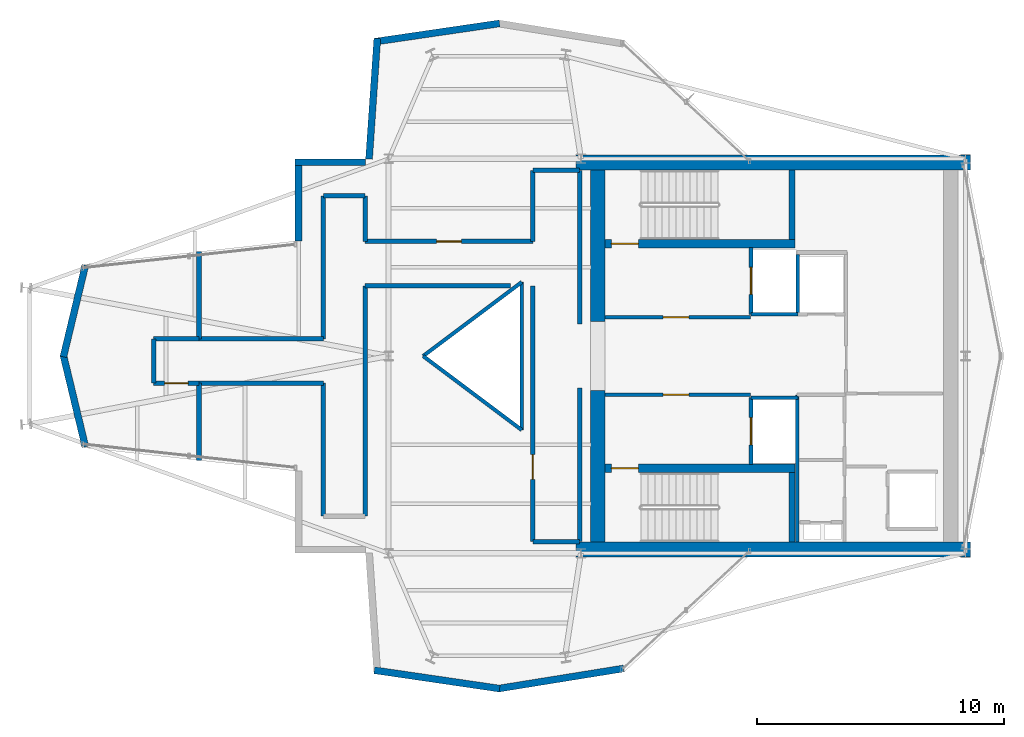
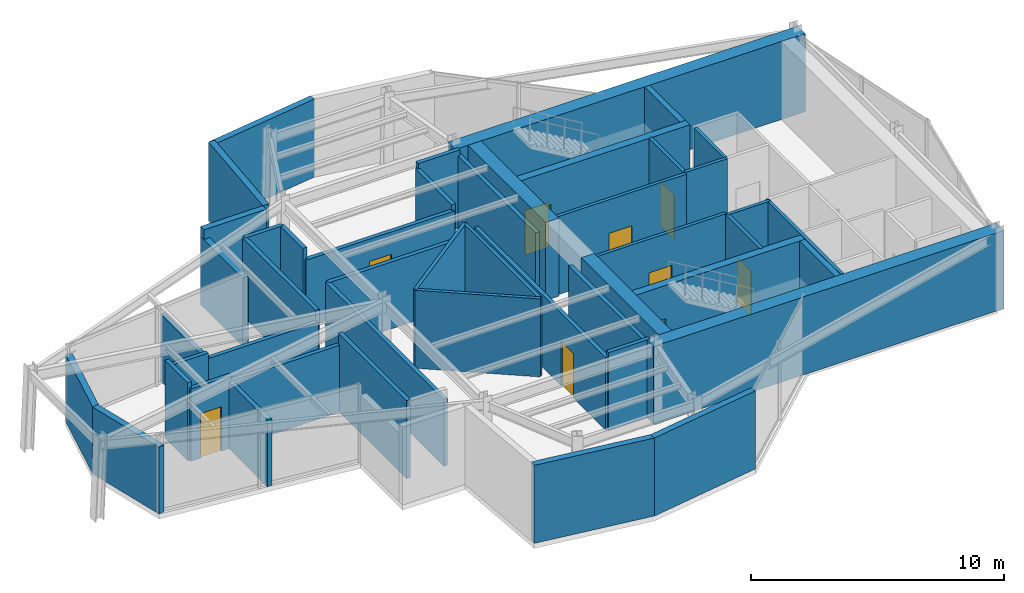
# One storey, part 9 of 11: 47 walls, 9 doors, 9 openings.
"""IFC4 building model written with IfcOpenShell, lengths in metres."""

import ifcopenshell
import ifcopenshell.guid

model = None  # the IFC model being written
_history = None  # IfcOwnerHistory: only IFC2X3 demands one
_inside = {}  # id of a spatial element -> (the spatial element, [elements in it])
_under = {}  # id of a project, library or spatial element -> (it, [spatial elements below it])
_declared = {}  # id of a project -> (the project, [libraries it declares])
_typed = {}  # id of a type object -> (the type object, [elements of that type])
_made_of = {}  # id of a material, layer set ... -> (it, [elements and type objects made of it])


def new_model(schema):
    """Start an empty IFC model of exactly this schema.

    Asked for "IFC4X3", IfcOpenShell would pick the latest addendum, in which some entities
    have other attributes; the version numbers below select the first issue.
    IFC2X3 requires an IfcOwnerHistory on every rooted entity: one is made here for all.
    """
    global model, _history
    if schema == "IFC4X3":
        model = ifcopenshell.file(schema_version=(4, 3, 0, 0))
    else:
        model = ifcopenshell.file(schema=schema)
    _inside.clear()
    _under.clear()
    _declared.clear()
    _typed.clear()
    _made_of.clear()
    _history = None
    if model.schema == "IFC2X3":
        org = make("IfcOrganization", Name="unknown")
        user = make(
            "IfcPersonAndOrganization",
            ThePerson=make("IfcPerson", FamilyName="unknown"),
            TheOrganization=org,
        )
        app = make(
            "IfcApplication",
            ApplicationDeveloper=org,
            Version="unknown",
            ApplicationFullName="unknown",
            ApplicationIdentifier="unknown",
        )
        _history = make(
            "IfcOwnerHistory",
            OwningUser=user,
            OwningApplication=app,
            ChangeAction="ADDED",
            CreationDate=0,
        )
    return model


def make(cls, **values):
    """One entity of the class cls with the attributes given. An attribute that is None is left unset."""
    return model.create_entity(
        cls, **{name: value for name, value in values.items() if value is not None}
    )


def rooted(cls, **values):
    """An entity with a GlobalId (a new one), such as an element, a storey or a relation."""
    return make(cls, GlobalId=ifcopenshell.guid.new(), OwnerHistory=_history, **values)


def si_unit(unit_type, name, prefix=None):
    """IfcSIUnit, for example si_unit("LENGTHUNIT", "METRE", prefix="MILLI")."""
    return make("IfcSIUnit", UnitType=unit_type, Prefix=prefix, Name=name)


def assignment(units):
    """IfcUnitAssignment: the units of a project."""
    return None if units is None else make("IfcUnitAssignment", Units=units)


def point(xyz):
    """IfcCartesianPoint."""
    return None if xyz is None else make("IfcCartesianPoint", Coordinates=xyz)


def direction(xyz):
    """IfcDirection."""
    return None if xyz is None else make("IfcDirection", DirectionRatios=xyz)


def frame(location, z_axis=None, x_axis=None):
    """IfcAxis2Placement3D, a coordinate frame: its origin and axes. An axis left out is left unset."""
    return make(
        "IfcAxis2Placement3D",
        Location=point(location),
        Axis=direction(z_axis),
        RefDirection=direction(x_axis),
    )


def frame_2d(location, x_axis=None):
    """IfcAxis2Placement2D, a coordinate frame in the plane: its origin and x axis."""
    return make(
        "IfcAxis2Placement2D", Location=point(location), RefDirection=direction(x_axis)
    )


def origin():
    """The frame at (0, 0, 0) with its axes left unset."""
    return frame((0.0, 0.0, 0.0))


def place(relative_to, where):
    """IfcLocalPlacement: puts the frame where relative to a parent placement (None: the world)."""
    return make(
        "IfcLocalPlacement", PlacementRelTo=relative_to, RelativePlacement=where
    )


def context(
    kind, dimensions, precision=None, world=None, true_north=None, identifier=None
):
    """IfcGeometricRepresentationContext, for example the 3D "Model" context."""
    return make(
        "IfcGeometricRepresentationContext",
        ContextIdentifier=identifier,
        ContextType=kind,
        CoordinateSpaceDimension=dimensions,
        Precision=precision,
        WorldCoordinateSystem=world,
        TrueNorth=true_north,
    )


def subcontext(parent, identifier, kind, view, scale=None):
    """IfcGeometricRepresentationSubContext, for example "Body" below "Model"."""
    return make(
        "IfcGeometricRepresentationSubContext",
        ContextIdentifier=identifier,
        ContextType=kind,
        ParentContext=parent,
        TargetScale=scale,
        TargetView=view,
    )


def project(units=None, contexts=None):
    """IfcProject with its units and contexts."""
    return rooted(
        "IfcProject",
        Name="project",
        RepresentationContexts=contexts,
        UnitsInContext=assignment(units),
    )


def spatial(cls, under=None, at=None, **own):
    """A site, building, storey or space (cls), placed at a placement, below another one or the project."""
    s = rooted(cls, ObjectPlacement=at, **own)
    if under is not None:
        _under.setdefault(under.id(), (under, []))[1].append(s)
    return s


def profile(cls, at=None, kind="AREA", **sizes):
    """A parametric profile (cls). Its sizes go by their IFC names, for example OverallWidth=200.0."""
    return make(cls, ProfileType=kind, Position=at, **sizes)


def rectangle(**sizes):
    """IfcRectangleProfileDef."""
    return profile("IfcRectangleProfileDef", **sizes)


def extrude(swept, where, along, depth):
    """IfcExtrudedAreaSolid: the profile swept, set in the frame where, extruded along a direction by depth."""
    return make(
        "IfcExtrudedAreaSolid",
        SweptArea=swept,
        Position=where,
        ExtrudedDirection=direction(along),
        Depth=depth,
    )


def shape(context_of_items, identifier, shape_type, items):
    """IfcShapeRepresentation: the items that make up one representation, for example the "Body"."""
    return make(
        "IfcShapeRepresentation",
        ContextOfItems=context_of_items,
        RepresentationIdentifier=identifier,
        RepresentationType=shape_type,
        Items=items,
    )


def material(Name=None, Category=None):
    """IfcMaterial."""
    return make("IfcMaterial", Name=Name, Category=Category)


def layer(
    of_material, thickness, ventilated=None, Name=None, Category=None, Priority=None
):
    """IfcMaterialLayer: one layer of a wall or slab, of a material (None: an air gap)."""
    return make(
        "IfcMaterialLayer",
        Material=of_material,
        LayerThickness=thickness,
        IsVentilated=ventilated,
        Name=Name,
        Category=Category,
        Priority=Priority,
    )


def layer_set(layers, Name=None):
    """IfcMaterialLayerSet."""
    return make("IfcMaterialLayerSet", MaterialLayers=layers, LayerSetName=Name)


def made_of(thing, what):
    """Note that an element or type object is made of a material, layer set ...; save() writes the relation."""
    if what is not None:
        _made_of.setdefault(what.id(), (what, []))[1].append(thing)
    return thing


def type_object(cls, material=None, **own):
    """A type object (cls), such as IfcWallType, which elements share."""
    return made_of(rooted(cls, **own), material)


def element(
    cls,
    number,
    at=None,
    inside=None,
    cuts=None,
    type_object=None,
    material=None,
    context=None,
    identifier="Body",
    shape_type=None,
    held_by="IfcProductDefinitionShape",
    body=None,
    shapes=None,
    **own,
):
    """One element of the class cls, such as IfcWall. Its Tag is "e" and its number.

    at: its placement. inside: the storey or other place that contains it. cuts: it is an
    opening in that element (IfcRelVoidsElement). A single representation is given by context,
    identifier, shape_type and body (its items); several are given by shapes. held_by: the class
    of the entity that holds the representations. save() writes the other relations.
    """
    e = rooted(cls, Tag="e%d" % number, ObjectPlacement=at, **own)
    if body is not None:
        shapes = [shape(context, identifier, shape_type, body)]
    if shapes is not None:
        e.Representation = make(held_by, Representations=shapes)
    if inside is not None:
        _inside.setdefault(inside.id(), (inside, []))[1].append(e)
    if cuts is not None:
        rooted(
            "IfcRelVoidsElement", RelatingBuildingElement=cuts, RelatedOpeningElement=e
        )
    if type_object is not None:
        _typed.setdefault(type_object.id(), (type_object, []))[1].append(e)
    return made_of(e, material)


def fill(opening, filler):
    """IfcRelFillsElement: the door or window that sits in an opening."""
    return rooted(
        "IfcRelFillsElement",
        RelatingOpeningElement=opening,
        RelatedBuildingElement=filler,
    )


def aggregate(whole, parts):
    """IfcRelAggregates: a whole, such as a stair, and the parts it consists of."""
    return rooted("IfcRelAggregates", RelatingObject=whole, RelatedObjects=parts)


def save(model, path):
    """Write the relations noted so far, then the file.

    IfcRelAggregates (storeys below a building ...), IfcRelContainedInSpatialStructure (elements
    in a storey), IfcRelDefinesByType, IfcRelAssociatesMaterial and IfcRelDeclares: one each for
    every whole, place, type object, material and project.
    """
    for whole, parts in _under.values():
        aggregate(whole, parts)
    for where, things in _inside.values():
        rooted(
            "IfcRelContainedInSpatialStructure",
            RelatedElements=things,
            RelatingStructure=where,
        )
    for kind, things in _typed.values():
        rooted("IfcRelDefinesByType", RelatedObjects=things, RelatingType=kind)
    for what, things in _made_of.values():
        rooted("IfcRelAssociatesMaterial", RelatedObjects=things, RelatingMaterial=what)
    for by, libraries in _declared.values():
        rooted("IfcRelDeclares", RelatingContext=by, RelatedDefinitions=libraries)
    model.write(path)


model = new_model("IFC4")

# Units and contexts
model_context = context("Model", 3, precision=1e-05, world=origin(), true_north=direction((0.0, 1.0)))
body_context = subcontext(model_context, "Body", "Model", "MODEL_VIEW")
ifc_project = project(units=[si_unit("LENGTHUNIT", "METRE"), si_unit("AREAUNIT", "SQUARE_METRE"), si_unit("VOLUMEUNIT", "CUBIC_METRE"), si_unit("PLANEANGLEUNIT", "RADIAN"), si_unit("MASSUNIT", "GRAM", prefix="KILO")], contexts=[model_context])

# Site, building, storey
site_placement = place(None, origin())
site = spatial("IfcSite", under=ifc_project, at=site_placement, CompositionType="ELEMENT")
building_placement = place(site_placement, origin())
building = spatial("IfcBuilding", under=site, at=building_placement, Name="Veymaron Broadcast Tower", CompositionType="ELEMENT")
storey_placement = place(building_placement, frame((0.0, 0.0, 323.550048828125)))
storey = spatial("IfcBuildingStorey", under=building, at=storey_placement, Name="L76", CompositionType="ELEMENT", Elevation=323.550048828125)

# Walls
ifc_material_1 = material(Name="Concrete C40/50", Category="concrete")
ifc_layer_1 = layer(ifc_material_1, 0.199951171875)
ifc_layer_set_1 = layer_set([ifc_layer_1], Name="Concrete C40/50")
wall_type_1 = type_object("IfcWallType", Name="WALL-BLK-200", PredefinedType="SOLIDWALL", material=ifc_layer_set_1)
wall_1_placement = place(storey_placement, frame((23.508056640625, 19.764892578125, 0.0), z_axis=(0.0, 0.0, 1.0), x_axis=(0.0, 1.0, 0.0)))
element("IfcWall", 1, at=wall_1_placement, inside=storey, type_object=wall_type_1, Name="L76 partition IW-L76-P20", PredefinedType="SOLIDWALL", context=body_context, shape_type="SweptSolid", body=[
    extrude(rectangle(XDim=3.135009765625, YDim=0.199951171875, at=frame_2d((1.5673828125, 0.0))), origin(), (0.0, 0.0, 1.0), 3.22998046875),
])
wall_2_placement = place(storey_placement, frame((23.508056640625, 24.699951171875, 0.0), z_axis=(0.0, 0.0, 1.0), x_axis=(0.0, 1.0, 0.0)))
element("IfcWall", 2, at=wall_2_placement, inside=storey, type_object=wall_type_1, Name="L76 partition IW-L76-P21", PredefinedType="SOLIDWALL", context=body_context, shape_type="SweptSolid", body=[
    extrude(rectangle(XDim=3.53515625, YDim=0.199951171875, at=frame_2d((1.767578125, 0.0))), origin(), (0.0, 0.0, 1.0), 3.22998046875),
])
ifc_material_2 = material(Name="Precast concrete C40/50", Category="concrete")
ifc_layer_2 = layer(ifc_material_2, 0.280029296875)
ifc_layer_set_2 = layer_set([ifc_layer_2], Name="Precast concrete C40/50")
wall_type_2 = type_object("IfcWallType", Name="WALL-EXT-280", PredefinedType="STANDARD", material=ifc_layer_set_2)
wall_3_placement = place(storey_placement, frame((35.699462890625, 37.49267578125, 0.0), z_axis=(0.0, 0.0, 1.0), x_axis=(-0.989447932912, -0.144888881756, 0.0)))
element("IfcWall", 3, at=wall_3_placement, inside=storey, type_object=wall_type_2, Name="L76 notched corner facade pier 7-1", PredefinedType="STANDARD", context=body_context, shape_type="SweptSolid", body=[
    extrude(rectangle(XDim=5.13427734375, YDim=0.280029296875, at=frame_2d((2.567138671875, 0.0))), origin(), (0.0, 0.0, 1.0), 3.77001953125),
])
wall_4_placement = place(storey_placement, frame((30.73876953125, 36.877685546875, 0.0), z_axis=(0.0, 0.0, 1.0), x_axis=(-0.068328295709, -0.997662890963, 0.0)))
element("IfcWall", 4, at=wall_4_placement, inside=storey, type_object=wall_type_2, Name="L76 notched corner facade pier 8-1", PredefinedType="STANDARD", context=body_context, shape_type="SweptSolid", body=[
    extrude(rectangle(XDim=4.898681640625, YDim=0.280029296875, at=frame_2d((2.44921875, 0.0))), origin(), (0.0, 0.0, 1.0), 3.77001953125),
])
wall_5_placement = place(storey_placement, frame((30.264404296875, 31.860107421875, 0.0), z_axis=(0.0, 0.0, 1.0), x_axis=(-1.0, 0.0, 0.0)))
element("IfcWall", 5, at=wall_5_placement, inside=storey, type_object=wall_type_2, Name="L76 notched corner facade pier 9-1", PredefinedType="STANDARD", context=body_context, shape_type="SweptSolid", body=[
    extrude(rectangle(XDim=2.854736328125, YDim=0.280029296875, at=frame_2d((1.42724609375, 0.0))), origin(), (0.0, 0.0, 1.0), 3.77001953125),
])
wall_6_placement = place(storey_placement, frame((27.549560546875, 32.0, 0.0), z_axis=(0.0, 0.0, 1.0), x_axis=(0.0, -1.0, 0.0)))
element("IfcWall", 6, at=wall_6_placement, inside=storey, type_object=wall_type_2, Name="L76 notched corner facade pier 10-1", PredefinedType="STANDARD", context=body_context, shape_type="SweptSolid", body=[
    extrude(rectangle(XDim=3.335205078125, YDim=0.280029296875, at=frame_2d((1.66748046875, 0.0))), origin(), (0.0, 0.0, 1.0), 3.299072265625),
])
for number, where, z_axis, x_axis, name in (
    (7, (18.89599609375, 27.6796875, 0.0), (0.0, 0.0, 1.0), (-0.233769543501, -0.972292034592, 0.0), "L76 notched corner facade pier 12-1"),
    (8, (18.00341796875, 24.03271484375, 0.0), (0.0, 0.0, 1.0), (0.233769543501, -0.972292034592, 0.0), "L76 notched corner facade pier 13-1"),
):
    element("IfcWall", number, at=place(storey_placement, frame(where, z_axis=z_axis, x_axis=x_axis)), inside=storey, type_object=wall_type_2, Name=name, PredefinedType="STANDARD", context=body_context, shape_type="SweptSolid", body=[
        extrude(rectangle(XDim=3.818115234375, YDim=0.280029296875, at=frame_2d((1.9091796875, 0.0))), origin(), (0.0, 0.0, 1.0), 3.22998046875),
    ])
wall_7_placement = place(storey_placement, frame((30.619384765625, 11.251220703125, 0.0), z_axis=(0.0, 0.0, 1.0), x_axis=(0.989447932912, -0.144888881756, 0.0)))
element("IfcWall", 9, at=wall_7_placement, inside=storey, type_object=wall_type_2, Name="L76 notched corner facade pier 18-1", PredefinedType="STANDARD", context=body_context, shape_type="SweptSolid", body=[
    extrude(rectangle(XDim=5.13427734375, YDim=0.280029296875, at=frame_2d((2.567138671875, 0.0))), origin(), (0.0, 0.0, 1.0), 3.77001953125),
])
wall_8_placement = place(storey_placement, frame((35.656982421875, 10.507080078125, 0.0), z_axis=(0.0, 0.0, 1.0), x_axis=(0.987271899324, 0.15904149397, 0.0)))
element("IfcWall", 10, at=wall_8_placement, inside=storey, type_object=wall_type_2, Name="L76 notched corner facade pier 19-1", PredefinedType="STANDARD", context=body_context, shape_type="SweptSolid", body=[
    extrude(rectangle(XDim=5.1455078125, YDim=0.280029296875, at=frame_2d((2.57275390625, 0.0))), origin(), (0.0, 0.0, 1.0), 3.77001953125),
])

# Wall, opening, door
ifc_material_3 = material(Name="Gypsum fireboard and steel stud framing", Category="steel")
ifc_layer_3 = layer(ifc_material_3, 0.14990234375)
ifc_layer_set_3 = layer_set([ifc_layer_3], Name="Gypsum fireboard and steel stud framing")
wall_type_3 = type_object("IfcWallType", Name="WALL-FIRE-150", PredefinedType="PARTITIONING", material=ifc_layer_set_3)
wall_9_placement = place(storey_placement, frame((39.97998046875, 25.574951171875, 0.0), z_axis=(0.0, 0.0, 1.0), x_axis=(1.0, 0.0, 0.0)))
wall_9 = element("IfcWall", 11, at=wall_9_placement, inside=storey, type_object=wall_type_3, Name="L76 partition IW-L76-FFLN-S", PredefinedType="PARTITIONING", context=body_context, shape_type="SweptSolid", body=[
    extrude(rectangle(XDim=5.89990234375, YDim=0.14990234375, at=frame_2d((2.949951171875, 0.0))), origin(), (0.0, 0.0, 1.0), 3.77001953125),
])
opening_1_placement = place(wall_9_placement, frame((2.35009765625, 0.0, 0.0)))
opening_1 = element("IfcOpeningElement", 12, at=opening_1_placement, cuts=wall_9, Name="Opening ID-FL1", PredefinedType="OPENING", context=body_context, shape_type="SweptSolid", body=[
    extrude(rectangle(XDim=1.050048828125, YDim=2.14990234375, at=frame_2d((0.52490234375, 1.074951171875))), frame((0.0, 0.0849609375, 0.0), z_axis=(0.0, -1.0, 0.0), x_axis=(1.0, 0.0, 0.0)), (0.0, 0.0, 1.0), 0.169921875),
])
ifc_material_4 = material(Name="Fire-rated painted hollow steel ASTM A653", Category="steel")
door_type_1 = type_object("IfcDoorType", Name="DOOR-FIRE-1050", OperationType="NOTDEFINED", PredefinedType="DOOR", material=ifc_material_4)
door_1_placement = place(opening_1_placement, origin())
door_1 = element("IfcDoor", 13, at=door_1_placement, inside=storey, type_object=door_type_1, Name="L76 door DR-L76-FFLN", OperationType="SINGLE_SWING_LEFT", OverallHeight=2.14990234375, OverallWidth=1.050048828125, PredefinedType="DOOR", context=body_context, shape_type="SweptSolid", body=[
    extrude(rectangle(XDim=1.050048828125, YDim=2.14990234375, at=frame_2d((0.52490234375, 1.074951171875))), frame((0.0, 0.02490234375, 0.0), z_axis=(0.0, -1.0, 0.0), x_axis=(1.0, 0.0, 0.0)), (0.0, 0.0, 1.0), 0.050048828125),
])
fill(opening_1, door_1)

wall_10_placement = place(storey_placement, frame((39.97998046875, 22.425048828125, 0.0), z_axis=(0.0, 0.0, 1.0), x_axis=(1.0, 0.0, 0.0)))
wall_10 = element("IfcWall", 14, at=wall_10_placement, inside=storey, type_object=wall_type_3, Name="L76 partition IW-L76-FFLS-N", PredefinedType="PARTITIONING", context=body_context, shape_type="SweptSolid", body=[
    extrude(rectangle(XDim=5.89990234375, YDim=0.14990234375, at=frame_2d((2.949951171875, 0.0))), origin(), (0.0, 0.0, 1.0), 3.77001953125),
])
opening_2_placement = place(wall_10_placement, frame((2.35009765625, 0.0, 0.0)))
opening_2 = element("IfcOpeningElement", 15, at=opening_2_placement, cuts=wall_10, Name="Opening ID-FL1", PredefinedType="OPENING", context=body_context, shape_type="SweptSolid", body=[
    extrude(rectangle(XDim=1.050048828125, YDim=2.14990234375, at=frame_2d((0.52490234375, 1.074951171875))), frame((0.0, 0.0849609375, 0.0), z_axis=(0.0, -1.0, 0.0), x_axis=(1.0, 0.0, 0.0)), (0.0, 0.0, 1.0), 0.169921875),
])
door_2_placement = place(opening_2_placement, frame((1.050048828125, 0.0, 0.0), z_axis=(0.0, 0.0, 1.0), x_axis=(-1.0, 0.0, 0.0)))
door_2 = element("IfcDoor", 16, at=door_2_placement, inside=storey, type_object=door_type_1, Name="L76 door DR-L76-FFLS", OperationType="SINGLE_SWING_RIGHT", OverallHeight=2.14990234375, OverallWidth=1.050048828125, PredefinedType="DOOR", context=body_context, shape_type="SweptSolid", body=[
    extrude(rectangle(XDim=1.050048828125, YDim=2.14990234375, at=frame_2d((0.52490234375, 1.074951171875))), frame((0.0, 0.02490234375, 0.0), z_axis=(0.0, -1.0, 0.0), x_axis=(1.0, 0.0, 0.0)), (0.0, 0.0, 1.0), 0.050048828125),
])
fill(opening_2, door_2)

wall_11_placement = place(storey_placement, frame((45.89501953125, 25.68994140625, 0.0), z_axis=(0.0, 0.0, 1.0), x_axis=(0.0, 1.0, 0.0)))
wall_11 = element("IfcWall", 17, at=wall_11_placement, inside=storey, type_object=wall_type_3, Name="L76 partition IW-L76-SHW-FFL-1", PredefinedType="PARTITIONING", context=body_context, shape_type="SweptSolid", body=[
    extrude(rectangle(XDim=2.719970703125, YDim=0.14990234375, at=frame_2d((1.35986328125, 0.0))), origin(), (0.0, 0.0, 1.0), 3.77001953125),
])
opening_3_placement = place(wall_11_placement, frame((0.81005859375, 0.0, 0.0)))
opening_3 = element("IfcOpeningElement", 18, at=opening_3_placement, cuts=wall_11, Name="Opening LD", PredefinedType="OPENING", context=body_context, shape_type="SweptSolid", body=[
    extrude(rectangle(XDim=1.10009765625, YDim=2.14990234375, at=frame_2d((0.550048828125, 1.074951171875))), frame((0.0, 0.0849609375, 0.0), z_axis=(0.0, -1.0, 0.0), x_axis=(1.0, 0.0, 0.0)), (0.0, 0.0, 1.0), 0.169921875),
])
ifc_material_5 = material(Name="Brushed stainless steel AISI 304", Category="steel")
door_type_2 = type_object("IfcDoorType", Name="DOOR-LIFT-1100", OperationType="DOUBLE_DOOR_SLIDING", PredefinedType="DOOR", material=ifc_material_5)
door_3_placement = place(opening_3_placement, frame((1.10009765625, 0.0, 0.0), z_axis=(0.0, 0.0, 1.0), x_axis=(-1.0, 0.0, 0.0)))
door_3 = element("IfcDoor", 19, at=door_3_placement, inside=storey, type_object=door_type_2, Name="L76 door LD-L76-FFL-1", OperationType="DOUBLE_DOOR_SLIDING", OverallHeight=2.14990234375, OverallWidth=1.10009765625, PredefinedType="DOOR", context=body_context, shape_type="SweptSolid", body=[
    extrude(rectangle(XDim=1.10009765625, YDim=2.14990234375, at=frame_2d((0.550048828125, 1.074951171875))), frame((0.0, 0.02490234375, 0.0), z_axis=(0.0, -1.0, 0.0), x_axis=(1.0, 0.0, 0.0)), (0.0, 0.0, 1.0), 0.050048828125),
])
fill(opening_3, door_3)

# Wall
wall_12_placement = place(storey_placement, frame((45.89501953125, 25.68994140625, 0.0), z_axis=(0.0, 0.0, 1.0), x_axis=(1.0, 0.0, 0.0)))
element("IfcWall", 20, at=wall_12_placement, inside=storey, type_object=wall_type_3, Name="L76 partition IW-L76-SHS-FFL-1", PredefinedType="PARTITIONING", context=body_context, shape_type="SweptSolid", body=[
    extrude(rectangle(XDim=1.9150390625, YDim=0.14990234375, at=frame_2d((0.95751953125, 0.0))), origin(), (0.0, 0.0, 1.0), 3.77001953125),
])

# Wall, opening, door
wall_13_placement = place(storey_placement, frame((45.89501953125, 19.590087890625, 0.0), z_axis=(0.0, 0.0, 1.0), x_axis=(0.0, 1.0, 0.0)))
wall_13 = element("IfcWall", 21, at=wall_13_placement, inside=storey, type_object=wall_type_3, Name="L76 partition IW-L76-SHW-FFL-2", PredefinedType="PARTITIONING", context=body_context, shape_type="SweptSolid", body=[
    extrude(rectangle(XDim=2.719970703125, YDim=0.14990234375, at=frame_2d((1.35986328125, 0.0))), origin(), (0.0, 0.0, 1.0), 3.77001953125),
])
opening_4_placement = place(wall_13_placement, frame((0.81005859375, 0.0, 0.0)))
opening_4 = element("IfcOpeningElement", 22, at=opening_4_placement, cuts=wall_13, Name="Opening LD", PredefinedType="OPENING", context=body_context, shape_type="SweptSolid", body=[
    extrude(rectangle(XDim=1.10009765625, YDim=2.14990234375, at=frame_2d((0.550048828125, 1.074951171875))), frame((0.0, 0.0849609375, 0.0), z_axis=(0.0, -1.0, 0.0), x_axis=(1.0, 0.0, 0.0)), (0.0, 0.0, 1.0), 0.169921875),
])
door_4_placement = place(opening_4_placement, frame((1.10009765625, 0.0, 0.0), z_axis=(0.0, 0.0, 1.0), x_axis=(-1.0, 0.0, 0.0)))
door_4 = element("IfcDoor", 23, at=door_4_placement, inside=storey, type_object=door_type_2, Name="L76 door LD-L76-FFL-2", OperationType="DOUBLE_DOOR_SLIDING", OverallHeight=2.14990234375, OverallWidth=1.10009765625, PredefinedType="DOOR", context=body_context, shape_type="SweptSolid", body=[
    extrude(rectangle(XDim=1.10009765625, YDim=2.14990234375, at=frame_2d((0.550048828125, 1.074951171875))), frame((0.0, 0.02490234375, 0.0), z_axis=(0.0, -1.0, 0.0), x_axis=(1.0, 0.0, 0.0)), (0.0, 0.0, 1.0), 0.050048828125),
])
fill(opening_4, door_4)

# Walls
wall_14_placement = place(storey_placement, frame((45.89501953125, 22.31005859375, 0.0), z_axis=(0.0, 0.0, 1.0), x_axis=(1.0, 0.0, 0.0)))
element("IfcWall", 24, at=wall_14_placement, inside=storey, type_object=wall_type_3, Name="L76 partition IW-L76-SHN-FFL-2", PredefinedType="PARTITIONING", context=body_context, shape_type="SweptSolid", body=[
    extrude(rectangle(XDim=1.9150390625, YDim=0.14990234375, at=frame_2d((0.95751953125, 0.0))), origin(), (0.0, 0.0, 1.0), 3.77001953125),
])
wall_15_placement = place(storey_placement, frame((47.7900390625, 25.695068359375, 0.0), z_axis=(0.0, 0.0, 1.0), x_axis=(0.0, 1.0, 0.0)))
element("IfcWall", 25, at=wall_15_placement, inside=storey, type_object=wall_type_3, Name="L76 partition IW-L76-SHW-SL-1", PredefinedType="PARTITIONING", context=body_context, shape_type="SweptSolid", body=[
    extrude(rectangle(XDim=2.4150390625, YDim=0.14990234375, at=frame_2d((1.20751953125, 0.0))), origin(), (0.0, 0.0, 1.0), 3.77001953125),
])
wall_16_placement = place(storey_placement, frame((47.780029296875, 16.449951171875, 0.0), z_axis=(0.0, 0.0, 1.0), x_axis=(0.0, 1.0, 0.0)))
element("IfcWall", 26, at=wall_16_placement, inside=storey, type_object=wall_type_3, Name="L76 partition IW-L76-SM-W", PredefinedType="PARTITIONING", context=body_context, shape_type="SweptSolid", body=[
    extrude(rectangle(XDim=5.97509765625, YDim=0.14990234375, at=frame_2d((2.987548828125, 0.0))), origin(), (0.0, 0.0, 1.0), 3.77001953125),
])

# Wall, opening, door
ifc_layer_4 = layer(ifc_material_1, 0.179931640625)
ifc_layer_set_4 = layer_set([ifc_layer_4], Name="Concrete C40/50")
wall_type_4 = type_object("IfcWallType", Name="WALL-FIRE-180", PredefinedType="SOLIDWALL", material=ifc_layer_set_4)
wall_17_placement = place(storey_placement, frame((37.050048828125, 16.46875, 0.0), z_axis=(0.0, 0.0, 1.0), x_axis=(0.0, 1.0, 0.0)))
wall_17 = element("IfcWall", 27, at=wall_17_placement, inside=storey, type_object=wall_type_4, Name="L76 partition IW-L76-P01", PredefinedType="SOLIDWALL", context=body_context, shape_type="SweptSolid", body=[
    extrude(rectangle(XDim=10.38134765625, YDim=0.179931640625, at=frame_2d((5.190673828125, 0.0))), origin(), (0.0, 0.0, 1.0), 3.5),
])
opening_5_placement = place(wall_17_placement, frame((2.530517578125, 0.0, 0.0)))
opening_5 = element("IfcOpeningElement", 28, at=opening_5_placement, cuts=wall_17, Name="Opening ID-RM3", PredefinedType="OPENING", context=body_context, shape_type="SweptSolid", body=[
    extrude(rectangle(XDim=1.0, YDim=2.14990234375, at=frame_2d((0.5, 1.074951171875))), frame((0.0, 0.10009765625, 0.0), z_axis=(0.0, -1.0, 0.0), x_axis=(1.0, 0.0, 0.0)), (0.0, 0.0, 1.0), 0.199951171875),
])
ifc_material_6 = material(Name="Acoustic solid-core European oak veneer timber", Category="wood")
door_type_3 = type_object("IfcDoorType", Name="DOOR-INT-1000", OperationType="NOTDEFINED", PredefinedType="DOOR", material=ifc_material_6)
door_5_placement = place(opening_5_placement, frame((1.0, 0.0, 0.0), z_axis=(0.0, 0.0, 1.0), x_axis=(-1.0, 0.0, 0.0)))
door_5 = element("IfcDoor", 29, at=door_5_placement, inside=storey, type_object=door_type_3, Name="L76 door DR-L76-P01", OperationType="SINGLE_SWING_RIGHT", OverallHeight=2.14990234375, OverallWidth=1.0, PredefinedType="DOOR", context=body_context, shape_type="SweptSolid", body=[
    extrude(rectangle(XDim=1.0, YDim=2.14990234375, at=frame_2d((0.5, 1.074951171875))), frame((0.0, 0.02490234375, 0.0), z_axis=(0.0, -1.0, 0.0), x_axis=(1.0, 0.0, 0.0)), (0.0, 0.0, 1.0), 0.050048828125),
])
fill(opening_5, door_5)

wall_18_placement = place(storey_placement, frame((21.667236328125, 22.89990234375, 0.0), z_axis=(0.0, 0.0, 1.0), x_axis=(1.0, 0.0, 0.0)))
wall_18 = element("IfcWall", 30, at=wall_18_placement, inside=storey, type_object=wall_type_4, Name="L76 partition IW-L76-P09", PredefinedType="SOLIDWALL", context=body_context, shape_type="SweptSolid", body=[
    extrude(rectangle(XDim=1.8408203125, YDim=0.179931640625, at=frame_2d((0.92041015625, 0.0))), origin(), (0.0, 0.0, 1.0), 3.5),
])
opening_6_placement = place(wall_18_placement, frame((0.4453125, 0.0, 0.0)))
opening_6 = element("IfcOpeningElement", 31, at=opening_6_placement, cuts=wall_18, Name="Opening ID-RM1", PredefinedType="OPENING", context=body_context, shape_type="SweptSolid", body=[
    extrude(rectangle(XDim=0.949951171875, YDim=2.14990234375, at=frame_2d((0.47509765625, 1.074951171875))), frame((0.0, 0.10009765625, 0.0), z_axis=(0.0, -1.0, 0.0), x_axis=(1.0, 0.0, 0.0)), (0.0, 0.0, 1.0), 0.199951171875),
])
door_type_4 = type_object("IfcDoorType", Name="DOOR-INT-950", OperationType="NOTDEFINED", PredefinedType="DOOR", material=ifc_material_6)
door_6_placement = place(opening_6_placement, frame((0.949951171875, 0.0, 0.0), z_axis=(0.0, 0.0, 1.0), x_axis=(-1.0, 0.0, 0.0)))
door_6 = element("IfcDoor", 32, at=door_6_placement, inside=storey, type_object=door_type_4, Name="L76 door DR-L76-P09", OperationType="SINGLE_SWING_RIGHT", OverallHeight=2.14990234375, OverallWidth=0.949951171875, PredefinedType="DOOR", context=body_context, shape_type="SweptSolid", body=[
    extrude(rectangle(XDim=0.949951171875, YDim=2.14990234375, at=frame_2d((0.47509765625, 1.074951171875))), frame((0.0, 0.02490234375, 0.0), z_axis=(0.0, -1.0, 0.0), x_axis=(1.0, 0.0, 0.0)), (0.0, 0.0, 1.0), 0.050048828125),
])
fill(opening_6, door_6)

wall_19_placement = place(storey_placement, frame((30.25, 28.64990234375, 0.0), z_axis=(0.0, 0.0, 1.0), x_axis=(1.0, 0.0, 0.0)))
wall_19 = element("IfcWall", 33, at=wall_19_placement, inside=storey, type_object=wall_type_4, Name="L76 partition IW-L76-P12", PredefinedType="SOLIDWALL", context=body_context, shape_type="SweptSolid", body=[
    extrude(rectangle(XDim=6.800048828125, YDim=0.179931640625, at=frame_2d((3.39990234375, 0.0))), origin(), (0.0, 0.0, 1.0), 3.22998046875),
])
opening_7_placement = place(wall_19_placement, frame((2.89990234375, 0.0, 0.0)))
opening_7 = element("IfcOpeningElement", 34, at=opening_7_placement, cuts=wall_19, Name="Opening ID-RM3", PredefinedType="OPENING", context=body_context, shape_type="SweptSolid", body=[
    extrude(rectangle(XDim=1.0, YDim=2.14990234375, at=frame_2d((0.5, 1.074951171875))), frame((0.0, 0.10009765625, 0.0), z_axis=(0.0, -1.0, 0.0), x_axis=(1.0, 0.0, 0.0)), (0.0, 0.0, 1.0), 0.199951171875),
])
door_7_placement = place(opening_7_placement, origin())
door_7 = element("IfcDoor", 35, at=door_7_placement, inside=storey, type_object=door_type_3, Name="L76 door DR-L76-P12", OperationType="SINGLE_SWING_LEFT", OverallHeight=2.14990234375, OverallWidth=1.0, PredefinedType="DOOR", context=body_context, shape_type="SweptSolid", body=[
    extrude(rectangle(XDim=1.0, YDim=2.14990234375, at=frame_2d((0.5, 1.074951171875))), frame((0.0, 0.02490234375, 0.0), z_axis=(0.0, -1.0, 0.0), x_axis=(1.0, 0.0, 0.0)), (0.0, 0.0, 1.0), 0.050048828125),
])
fill(opening_7, door_7)

# Walls
wall_20_placement = place(storey_placement, frame((30.25, 17.5, 0.0), z_axis=(0.0, 0.0, 1.0), x_axis=(0.0, 1.0, 0.0)))
element("IfcWall", 36, at=wall_20_placement, inside=storey, type_object=wall_type_4, Name="L76 partition IW-L76-P02", PredefinedType="SOLIDWALL", context=body_context, shape_type="SweptSolid", body=[
    extrude(rectangle(XDim=9.35009765625, YDim=0.179931640625, at=frame_2d((4.675048828125, 0.0))), origin(), (0.0, 0.0, 1.0), 3.22998046875),
])
wall_21_placement = place(storey_placement, frame((38.949951171875, 16.46875, 0.0), z_axis=(0.0, 0.0, 1.0), x_axis=(0.0, 1.0, 0.0)))
element("IfcWall", 37, at=wall_21_placement, inside=storey, type_object=wall_type_4, Name="L76 partition IW-L76-P03", PredefinedType="SOLIDWALL", context=body_context, shape_type="SweptSolid", body=[
    extrude(rectangle(XDim=6.231201171875, YDim=0.179931640625, at=frame_2d((3.11572265625, 0.0))), origin(), (0.0, 0.0, 1.0), 3.5),
])
wall_22_placement = place(storey_placement, frame((30.25, 26.85009765625, 0.0), z_axis=(0.0, 0.0, 1.0), x_axis=(1.0, 0.0, 0.0)))
element("IfcWall", 38, at=wall_22_placement, inside=storey, type_object=wall_type_4, Name="L76 partition IW-L76-P04", PredefinedType="SOLIDWALL", context=body_context, shape_type="SweptSolid", body=[
    extrude(rectangle(XDim=5.89990234375, YDim=0.179931640625, at=frame_2d((2.949951171875, 0.0))), origin(), (0.0, 0.0, 1.0), 3.22998046875),
])
wall_23_placement = place(storey_placement, frame((28.550048828125, 17.5, 0.0), z_axis=(0.0, 0.0, 1.0), x_axis=(0.0, 1.0, 0.0)))
element("IfcWall", 39, at=wall_23_placement, inside=storey, type_object=wall_type_4, Name="L76 partition IW-L76-P05", PredefinedType="SOLIDWALL", context=body_context, shape_type="SweptSolid", body=[
    extrude(rectangle(XDim=5.39990234375, YDim=0.179931640625, at=frame_2d((2.699951171875, 0.0))), origin(), (0.0, 0.0, 1.0), 3.77001953125),
])
wall_24_placement = place(storey_placement, frame((23.508056640625, 22.89990234375, 0.0), z_axis=(0.0, 0.0, 1.0), x_axis=(1.0, 0.0, 0.0)))
element("IfcWall", 40, at=wall_24_placement, inside=storey, type_object=wall_type_4, Name="L76 partition IW-L76-P06", PredefinedType="SOLIDWALL", context=body_context, shape_type="SweptSolid", body=[
    extrude(rectangle(XDim=5.0419921875, YDim=0.179931640625, at=frame_2d((2.52099609375, 0.0))), origin(), (0.0, 0.0, 1.0), 3.22998046875),
])
wall_25_placement = place(storey_placement, frame((37.050048828125, 16.46875, 0.0), z_axis=(0.0, 0.0, 1.0), x_axis=(1.0, 0.0, 0.0)))
element("IfcWall", 41, at=wall_25_placement, inside=storey, type_object=wall_type_4, Name="L76 partition IW-L76-P07", PredefinedType="SOLIDWALL", context=body_context, shape_type="SweptSolid", body=[
    extrude(rectangle(XDim=1.89990234375, YDim=0.179931640625, at=frame_2d((0.949951171875, 0.0))), origin(), (0.0, 0.0, 1.0), 3.77001953125),
])
wall_26_placement = place(storey_placement, frame((21.667236328125, 24.699951171875, 0.0), z_axis=(0.0, 0.0, 1.0), x_axis=(1.0, 0.0, 0.0)))
element("IfcWall", 42, at=wall_26_placement, inside=storey, type_object=wall_type_4, Name="L76 partition IW-L76-P10", PredefinedType="SOLIDWALL", context=body_context, shape_type="SweptSolid", body=[
    extrude(rectangle(XDim=1.8408203125, YDim=0.179931640625, at=frame_2d((0.92041015625, 0.0))), origin(), (0.0, 0.0, 1.0), 3.5),
])
wall_27_placement = place(storey_placement, frame((21.667236328125, 22.89990234375, 0.0), z_axis=(0.0, 0.0, 1.0), x_axis=(0.0, 1.0, 0.0)))
element("IfcWall", 43, at=wall_27_placement, inside=storey, type_object=wall_type_4, Name="L76 partition IW-L76-P11", PredefinedType="SOLIDWALL", context=body_context, shape_type="SweptSolid", body=[
    extrude(rectangle(XDim=1.800048828125, YDim=0.179931640625, at=frame_2d((0.89990234375, 0.0))), origin(), (0.0, 0.0, 1.0), 3.77001953125),
])
wall_28_placement = place(storey_placement, frame((38.949951171875, 25.300048828125, 0.0), z_axis=(0.0, 0.0, 1.0), x_axis=(0.0, 1.0, 0.0)))
element("IfcWall", 44, at=wall_28_placement, inside=storey, type_object=wall_type_4, Name="L76 partition IW-L76-P13", PredefinedType="SOLIDWALL", context=body_context, shape_type="SweptSolid", body=[
    extrude(rectangle(XDim=6.231201171875, YDim=0.179931640625, at=frame_2d((3.11572265625, 0.0))), origin(), (0.0, 0.0, 1.0), 3.5),
])
wall_29_placement = place(storey_placement, frame((28.550048828125, 24.699951171875, 0.0), z_axis=(0.0, 0.0, 1.0), x_axis=(0.0, 1.0, 0.0)))
element("IfcWall", 45, at=wall_29_placement, inside=storey, type_object=wall_type_4, Name="L76 partition IW-L76-P14", PredefinedType="SOLIDWALL", context=body_context, shape_type="SweptSolid", body=[
    extrude(rectangle(XDim=5.800048828125, YDim=0.179931640625, at=frame_2d((2.89990234375, 0.0))), origin(), (0.0, 0.0, 1.0), 3.77001953125),
])
wall_30_placement = place(storey_placement, frame((23.508056640625, 24.699951171875, 0.0), z_axis=(0.0, 0.0, 1.0), x_axis=(1.0, 0.0, 0.0)))
element("IfcWall", 46, at=wall_30_placement, inside=storey, type_object=wall_type_4, Name="L76 partition IW-L76-P15", PredefinedType="SOLIDWALL", context=body_context, shape_type="SweptSolid", body=[
    extrude(rectangle(XDim=5.0419921875, YDim=0.179931640625, at=frame_2d((2.52099609375, 0.0))), origin(), (0.0, 0.0, 1.0), 3.22998046875),
])
wall_31_placement = place(storey_placement, frame((37.050048828125, 28.64990234375, 0.0), z_axis=(0.0, 0.0, 1.0), x_axis=(0.0, 1.0, 0.0)))
element("IfcWall", 47, at=wall_31_placement, inside=storey, type_object=wall_type_4, Name="L76 partition IW-L76-P16", PredefinedType="SOLIDWALL", context=body_context, shape_type="SweptSolid", body=[
    extrude(rectangle(XDim=2.88134765625, YDim=0.179931640625, at=frame_2d((1.440673828125, 0.0))), origin(), (0.0, 0.0, 1.0), 3.5),
])
wall_32_placement = place(storey_placement, frame((37.050048828125, 31.53125, 0.0), z_axis=(0.0, 0.0, 1.0), x_axis=(1.0, 0.0, 0.0)))
element("IfcWall", 48, at=wall_32_placement, inside=storey, type_object=wall_type_4, Name="L76 partition IW-L76-P17", PredefinedType="SOLIDWALL", context=body_context, shape_type="SweptSolid", body=[
    extrude(rectangle(XDim=1.89990234375, YDim=0.179931640625, at=frame_2d((0.949951171875, 0.0))), origin(), (0.0, 0.0, 1.0), 3.77001953125),
])
wall_33_placement = place(storey_placement, frame((30.25, 28.64990234375, 0.0), z_axis=(0.0, 0.0, 1.0), x_axis=(0.0, 1.0, 0.0)))
element("IfcWall", 49, at=wall_33_placement, inside=storey, type_object=wall_type_4, Name="L76 partition IW-L76-P18", PredefinedType="SOLIDWALL", context=body_context, shape_type="SweptSolid", body=[
    extrude(rectangle(XDim=1.85009765625, YDim=0.179931640625, at=frame_2d((0.925048828125, 0.0))), origin(), (0.0, 0.0, 1.0), 3.77001953125),
])
wall_34_placement = place(storey_placement, frame((28.550048828125, 30.5, 0.0), z_axis=(0.0, 0.0, 1.0), x_axis=(1.0, 0.0, 0.0)))
element("IfcWall", 50, at=wall_34_placement, inside=storey, type_object=wall_type_4, Name="L76 partition IW-L76-P19", PredefinedType="SOLIDWALL", context=body_context, shape_type="SweptSolid", body=[
    extrude(rectangle(XDim=1.699951171875, YDim=0.179931640625, at=frame_2d((0.85009765625, 0.0))), origin(), (0.0, 0.0, 1.0), 3.77001953125),
])
ifc_material_7 = material(Name="Fire-rated laminated glass in aluminium frame", Category="aluminium")
ifc_layer_5 = layer(ifc_material_7, 0.14990234375)
ifc_layer_set_5 = layer_set([ifc_layer_5], Name="Fire-rated laminated glass in aluminium frame")
wall_type_5 = type_object("IfcWallType", Name="WALL-GLZ-150", PredefinedType="MOVABLE", material=ifc_layer_set_5)
wall_35_placement = place(storey_placement, frame((32.60009765625, 24.0, 0.0), z_axis=(0.0, 0.0, 1.0), x_axis=(0.8, -0.6, 0.0)))
element("IfcWall", 51, at=wall_35_placement, inside=storey, type_object=wall_type_5, Name="L76 partition IW-L76-ATR1", PredefinedType="MOVABLE", context=body_context, shape_type="SweptSolid", body=[
    extrude(rectangle(XDim=5.0, YDim=0.14990234375, at=frame_2d((2.5, 0.0))), origin(), (0.0, 0.0, 1.0), 3.77001953125),
])
wall_36_placement = place(storey_placement, frame((36.60009765625, 21.0, 0.0), z_axis=(0.0, 0.0, 1.0), x_axis=(0.0, 1.0, 0.0)))
element("IfcWall", 52, at=wall_36_placement, inside=storey, type_object=wall_type_5, Name="L76 partition IW-L76-ATR2", PredefinedType="MOVABLE", context=body_context, shape_type="SweptSolid", body=[
    extrude(rectangle(XDim=6.0, YDim=0.14990234375, at=frame_2d((3.0, 0.0))), origin(), (0.0, 0.0, 1.0), 3.77001953125),
])
wall_37_placement = place(storey_placement, frame((36.60009765625, 27.0, 0.0), z_axis=(0.0, 0.0, 1.0), x_axis=(-0.8, -0.6, 0.0)))
element("IfcWall", 53, at=wall_37_placement, inside=storey, type_object=wall_type_5, Name="L76 partition IW-L76-ATR3", PredefinedType="MOVABLE", context=body_context, shape_type="SweptSolid", body=[
    extrude(rectangle(XDim=5.0, YDim=0.14990234375, at=frame_2d((2.5, 0.0))), origin(), (0.0, 0.0, 1.0), 3.77001953125),
])
ifc_material_8 = material(Name="Concrete C50/60", Category="concrete")
ifc_layer_6 = layer(ifc_material_8, 0.25)
ifc_layer_set_6 = layer_set([ifc_layer_6], Name="Concrete C50/60")
wall_type_6 = type_object("IfcWallType", Name="WALL-SHEAR-250", PredefinedType="SHEAR", material=ifc_layer_set_6)
for number, where, z_axis, x_axis, name in (
    (54, (47.56494140625, 28.72998046875, 0.0), (0.0, 0.0, 1.0), (0.0, 1.0, 0.0), "L76 Core Wall north stair east shear"),
    (55, (47.56494140625, 16.449951171875, 0.0), (0.0, 0.0, 1.0), (0.0, 1.0, 0.0), "L76 Core Wall south stair east shear"),
):
    element("IfcWall", number, at=place(storey_placement, frame(where, z_axis=z_axis, x_axis=x_axis)), inside=storey, type_object=wall_type_6, Name=name, PredefinedType="SHEAR", context=body_context, shape_type="SweptSolid", body=[
        extrude(rectangle(XDim=2.820068359375, YDim=0.25, at=frame_2d((1.41015625, 0.0))), origin(), (0.0, 0.0, 1.0), 3.77001953125),
    ])

# Wall, opening, door
ifc_layer_7 = layer(ifc_material_8, 0.35009765625)
ifc_layer_set_7 = layer_set([ifc_layer_7], Name="Concrete C50/60")
wall_type_7 = type_object("IfcWallType", Name="WALL-SHEAR-350", PredefinedType="SHEAR", material=ifc_layer_set_7)
wall_38_placement = place(storey_placement, frame((39.97998046875, 28.554931640625, 0.0), z_axis=(0.0, 0.0, 1.0), x_axis=(1.0, 0.0, 0.0)))
wall_38 = element("IfcWall", 56, at=wall_38_placement, inside=storey, type_object=wall_type_7, Name="L76 Core Wall north stair spine", PredefinedType="SHEAR", context=body_context, shape_type="SweptSolid", body=[
    extrude(rectangle(XDim=7.7099609375, YDim=0.35009765625, at=frame_2d((3.85498046875, 0.0))), origin(), (0.0, 0.0, 1.0), 3.77001953125),
])
opening_8_placement = place(wall_38_placement, frame((0.25, 0.0, 0.0)))
opening_8 = element("IfcOpeningElement", 57, at=opening_8_placement, cuts=wall_38, Name="Opening ID-ST1", PredefinedType="OPENING", context=body_context, shape_type="SweptSolid", body=[
    extrude(rectangle(XDim=1.10009765625, YDim=2.14990234375, at=frame_2d((0.550048828125, 1.074951171875))), frame((0.0, 0.18505859375, 0.0), z_axis=(0.0, -1.0, 0.0), x_axis=(1.0, 0.0, 0.0)), (0.0, 0.0, 1.0), 0.3701171875),
])
door_type_5 = type_object("IfcDoorType", Name="DOOR-STAIR-1100", OperationType="NOTDEFINED", PredefinedType="DOOR", material=ifc_material_4)
door_8_placement = place(opening_8_placement, origin())
door_8 = element("IfcDoor", 58, at=door_8_placement, inside=storey, type_object=door_type_5, Name="L76 exit stair ST1 fire door", OperationType="SINGLE_SWING_LEFT", OverallHeight=2.14990234375, OverallWidth=1.10009765625, PredefinedType="DOOR", context=body_context, shape_type="SweptSolid", body=[
    extrude(rectangle(XDim=1.10009765625, YDim=2.14990234375, at=frame_2d((0.550048828125, 1.074951171875))), frame((0.0, 0.02490234375, 0.0), z_axis=(0.0, -1.0, 0.0), x_axis=(1.0, 0.0, 0.0)), (0.0, 0.0, 1.0), 0.050048828125),
])
fill(opening_8, door_8)

wall_39_placement = place(storey_placement, frame((39.97998046875, 19.445068359375, 0.0), z_axis=(0.0, 0.0, 1.0), x_axis=(1.0, 0.0, 0.0)))
wall_39 = element("IfcWall", 59, at=wall_39_placement, inside=storey, type_object=wall_type_7, Name="L76 Core Wall south stair spine", PredefinedType="SHEAR", context=body_context, shape_type="SweptSolid", body=[
    extrude(rectangle(XDim=7.7099609375, YDim=0.35009765625, at=frame_2d((3.85498046875, 0.0))), origin(), (0.0, 0.0, 1.0), 3.77001953125),
])
opening_9_placement = place(wall_39_placement, frame((0.25, 0.0, 0.0)))
opening_9 = element("IfcOpeningElement", 60, at=opening_9_placement, cuts=wall_39, Name="Opening ID-ST1", PredefinedType="OPENING", context=body_context, shape_type="SweptSolid", body=[
    extrude(rectangle(XDim=1.10009765625, YDim=2.14990234375, at=frame_2d((0.550048828125, 1.074951171875))), frame((0.0, 0.18505859375, 0.0), z_axis=(0.0, -1.0, 0.0), x_axis=(1.0, 0.0, 0.0)), (0.0, 0.0, 1.0), 0.3701171875),
])
door_9_placement = place(opening_9_placement, frame((1.10009765625, 0.0, 0.0), z_axis=(0.0, 0.0, 1.0), x_axis=(-1.0, 0.0, 0.0)))
door_9 = element("IfcDoor", 61, at=door_9_placement, inside=storey, type_object=door_type_5, Name="L76 exit stair ST2 fire door", OperationType="SINGLE_SWING_RIGHT", OverallHeight=2.14990234375, OverallWidth=1.10009765625, PredefinedType="DOOR", context=body_context, shape_type="SweptSolid", body=[
    extrude(rectangle(XDim=1.10009765625, YDim=2.14990234375, at=frame_2d((0.550048828125, 1.074951171875))), frame((0.0, 0.02490234375, 0.0), z_axis=(0.0, -1.0, 0.0), x_axis=(1.0, 0.0, 0.0)), (0.0, 0.0, 1.0), 0.050048828125),
])
fill(opening_9, door_9)

# Walls
ifc_layer_8 = layer(ifc_material_8, 0.60009765625)
ifc_layer_set_8 = layer_set([ifc_layer_8], Name="Concrete C50/60")
wall_type_8 = type_object("IfcWallType", Name="WALL-SHEAR-600", PredefinedType="SHEAR", material=ifc_layer_set_8)
for number, where, z_axis, x_axis, name in (
    (62, (38.800048828125, 31.85009765625, 0.0), (0.0, 0.0, 1.0), (1.0, 0.0, 0.0), "L76 Core Wall north shear"),
    (63, (38.800048828125, 16.14990234375, 0.0), (0.0, 0.0, 1.0), (1.0, 0.0, 0.0), "L76 Core Wall south shear"),
):
    element("IfcWall", number, at=place(storey_placement, frame(where, z_axis=z_axis, x_axis=x_axis)), inside=storey, type_object=wall_type_8, Name=name, PredefinedType="SHEAR", context=body_context, shape_type="SweptSolid", body=[
        extrude(rectangle(XDim=16.0, YDim=0.60009765625, at=frame_2d((8.0, 0.0))), origin(), (0.0, 0.0, 1.0), 3.77001953125),
    ])
for number, where, z_axis, x_axis, name in (
    (64, (39.679931640625, 16.449951171875, 0.0), (0.0, 0.0, 1.0), (0.0, 1.0, 0.0), "L76 Core Wall west-south shear"),
    (65, (39.679931640625, 25.39990234375, 0.0), (0.0, 0.0, 1.0), (0.0, 1.0, 0.0), "L76 Core Wall west-north shear"),
):
    element("IfcWall", number, at=place(storey_placement, frame(where, z_axis=z_axis, x_axis=x_axis)), inside=storey, type_object=wall_type_8, Name=name, PredefinedType="SHEAR", context=body_context, shape_type="SweptSolid", body=[
        extrude(rectangle(XDim=6.150146484375, YDim=0.60009765625, at=frame_2d((3.0751953125, 0.0))), origin(), (0.0, 0.0, 1.0), 3.77001953125),
    ])

save(model, "model.ifc")
